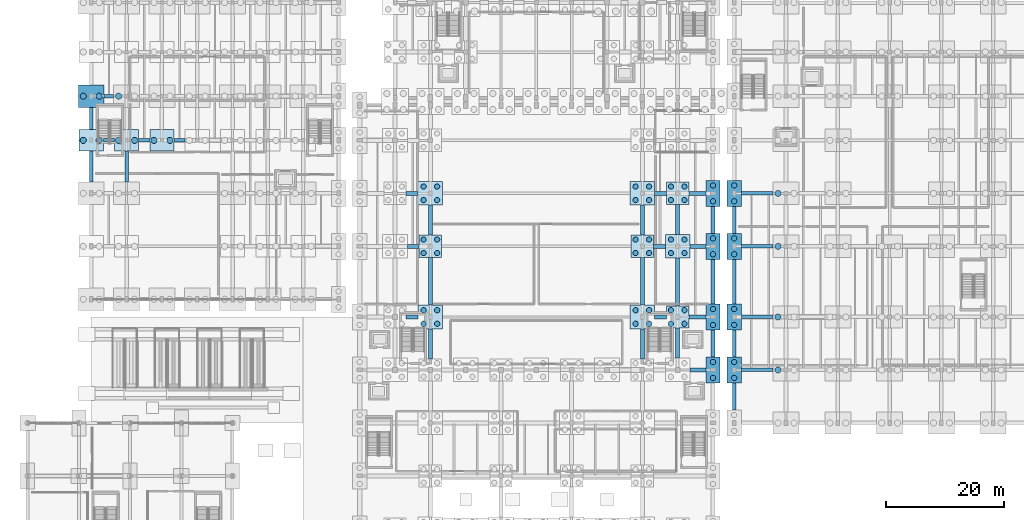
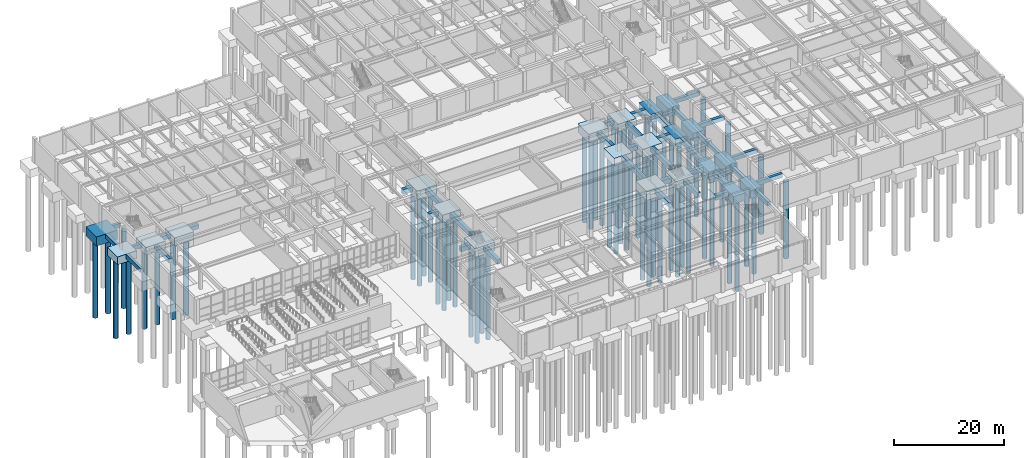
# One storey, part 4 of 69: 65 piles, 58 footings.
"""IFC4 building model written with IfcOpenShell, lengths in metres."""

from ifc_helpers import new_model, si_unit, direction, frame, origin, origin_2d, place, context, subcontext, project, spatial, rectangle, circle, extrude, material, material_profile, profile_set, type_object, element, save


model = new_model("IFC4")

# Units and contexts
model_context = context("Model", 3, precision=1e-05, world=origin(), true_north=direction((0.0, 1.0)))
body_context = subcontext(model_context, "Body", "Model", "MODEL_VIEW")
ifc_project = project(units=[si_unit("LENGTHUNIT", "METRE"), si_unit("AREAUNIT", "SQUARE_METRE"), si_unit("VOLUMEUNIT", "CUBIC_METRE"), si_unit("PLANEANGLEUNIT", "RADIAN"), si_unit("MASSUNIT", "GRAM", prefix="KILO")], contexts=[model_context])

# Site, building, storey
site_placement = place(None, origin())
site = spatial("IfcSite", under=ifc_project, at=site_placement, CompositionType="ELEMENT")
building_placement = place(site_placement, origin())
building = spatial("IfcBuilding", under=site, at=building_placement, Name="Vaelkrest Opera House", CompositionType="ELEMENT")
storey_placement = place(building_placement, frame((0.0, 0.0, -5.39990234375)))
storey = spatial("IfcBuildingStorey", under=building, at=storey_placement, Name="B1", CompositionType="ELEMENT", Elevation=-5.39990234375)

# Footings
ifc_material = material(Name="Concrete C40/50", Category="concrete")
footing_type_1 = type_object("IfcFootingType", Name="FB01", PredefinedType="FOOTING_BEAM", material=ifc_material)
for number, where, z_axis, x_axis, name in (
    (1, (-72.60009765625, 10.199951171875, -0.900146484375), (0.0, 0.0, 1.0), (1.0, 0.0, 0.0), "Footing tie beam FT-GB-0204"),
    (2, (-66.60009765625, 10.199951171875, -0.900146484375), (0.0, 0.0, 1.0), (1.0, 0.0, 0.0), "Footing tie beam FT-GB-0205"),
    (3, (-60.60009765625, 10.199951171875, -0.900146484375), (0.0, 0.0, 1.0), (1.0, 0.0, 0.0), "Footing tie beam FT-GB-0206"),
):
    element("IfcFooting", number, at=place(storey_placement, frame(where, z_axis=z_axis, x_axis=x_axis)), inside=storey, type_object=footing_type_1, Name=name, PredefinedType="FOOTING_BEAM", context=body_context, shape_type="SweptSolid", body=[
        extrude(rectangle(XDim=1.89990234375, YDim=0.60009765625, at=origin_2d()), origin(), (0.0, 0.0, 1.0), 0.89990234375),
    ])
footing_1_placement = place(storey_placement, frame((-72.60009765625, 17.699951171875, -0.900146484375), z_axis=(0.0, 0.0, 1.0), x_axis=(1.0, 0.0, 0.0)))
element("IfcFooting", 4, at=footing_1_placement, inside=storey, type_object=footing_type_1, Name="Footing tie beam FT-GB-0211", PredefinedType="FOOTING_BEAM", context=body_context, shape_type="SweptSolid", body=[
    extrude(rectangle(XDim=1.60009765625, YDim=0.60009765625, at=origin_2d()), origin(), (0.0, 0.0, 1.0), 0.89990234375),
])
footing_2_placement = place(storey_placement, frame((-75.60009765625, 5.75, -0.900146484375), z_axis=(0.0, 0.0, 1.0), x_axis=(0.0, 1.0, 0.0)))
element("IfcFooting", 5, at=footing_2_placement, inside=storey, type_object=footing_type_1, Name="Footing tie beam FT-GB-0241", PredefinedType="FOOTING_BEAM", context=body_context, shape_type="SweptSolid", body=[
    extrude(rectangle(XDim=5.300048828125, YDim=0.60009765625, at=origin_2d()), origin(), (0.0, 0.0, 1.0), 0.89990234375),
])
footing_3_placement = place(storey_placement, frame((-75.60009765625, 13.89990234375, -0.900146484375), z_axis=(0.0, 0.0, 1.0), x_axis=(0.0, 1.0, 0.0)))
element("IfcFooting", 6, at=footing_3_placement, inside=storey, type_object=footing_type_1, Name="Footing tie beam FT-GB-0242", PredefinedType="FOOTING_BEAM", context=body_context, shape_type="SweptSolid", body=[
    extrude(rectangle(XDim=3.800048828125, YDim=0.60009765625, at=origin_2d()), origin(), (0.0, 0.0, 1.0), 0.89990234375),
])
footing_4_placement = place(storey_placement, frame((-69.60009765625, 5.75, -0.900146484375), z_axis=(0.0, 0.0, 1.0), x_axis=(0.0, 1.0, 0.0)))
element("IfcFooting", 7, at=footing_4_placement, inside=storey, type_object=footing_type_1, Name="Footing tie beam FT-GB-0248", PredefinedType="FOOTING_BEAM", context=body_context, shape_type="SweptSolid", body=[
    extrude(rectangle(XDim=5.300048828125, YDim=0.60009765625, at=origin_2d()), origin(), (0.0, 0.0, 1.0), 0.89990234375),
])
for number, where, z_axis, x_axis, name in (
    (8, (37.5, -28.800048828125, -0.900146484375), (0.0, 0.0, 1.0), (1.0, 0.0, 0.0), "Footing tie beam FT-GB-0295"),
    (9, (37.5, -19.800048828125, -0.900146484375), (0.0, 0.0, 1.0), (1.0, 0.0, 0.0), "Footing tie beam FT-GB-0301"),
    (10, (37.5, -7.800048828125, -0.900146484375), (0.0, 0.0, 1.0), (1.0, 0.0, 0.0), "Footing tie beam FT-GB-0307"),
    (11, (37.5, 1.199951171875, -0.900146484375), (0.0, 0.0, 1.0), (1.0, 0.0, 0.0), "Footing tie beam FT-GB-0313"),
):
    element("IfcFooting", number, at=place(storey_placement, frame(where, z_axis=z_axis, x_axis=x_axis)), inside=storey, type_object=footing_type_1, Name=name, PredefinedType="FOOTING_BEAM", context=body_context, shape_type="SweptSolid", body=[
        extrude(rectangle(XDim=5.39990234375, YDim=0.60009765625, at=origin_2d()), origin(), (0.0, 0.0, 1.0), 0.89990234375),
    ])
for number, where, z_axis, x_axis, name in (
    (12, (33.60009765625, -33.300048828125, -0.900146484375), (0.0, 0.0, 1.0), (0.0, 1.0, 0.0), "Footing tie beam FT-GB-0339"),
    (13, (33.60009765625, -24.300048828125, -0.900146484375), (0.0, 0.0, 1.0), (0.0, 1.0, 0.0), "Footing tie beam FT-GB-0340"),
):
    element("IfcFooting", number, at=place(storey_placement, frame(where, z_axis=z_axis, x_axis=x_axis)), inside=storey, type_object=footing_type_1, Name=name, PredefinedType="FOOTING_BEAM", context=body_context, shape_type="SweptSolid", body=[
        extrude(rectangle(XDim=4.60009765625, YDim=0.60009765625, at=origin_2d()), origin(), (0.0, 0.0, 1.0), 0.89990234375),
    ])
footing_5_placement = place(storey_placement, frame((33.60009765625, -13.800048828125, -0.900146484375), z_axis=(0.0, 0.0, 1.0), x_axis=(0.0, 1.0, 0.0)))
element("IfcFooting", 14, at=footing_5_placement, inside=storey, type_object=footing_type_1, Name="Footing tie beam FT-GB-0341", PredefinedType="FOOTING_BEAM", context=body_context, shape_type="SweptSolid", body=[
    extrude(rectangle(XDim=7.60009765625, YDim=0.60009765625, at=origin_2d()), origin(), (0.0, 0.0, 1.0), 0.89990234375),
])
footing_6_placement = place(storey_placement, frame((33.60009765625, -3.300048828125, -0.900146484375), z_axis=(0.0, 0.0, 1.0), x_axis=(0.0, 1.0, 0.0)))
element("IfcFooting", 15, at=footing_6_placement, inside=storey, type_object=footing_type_1, Name="Footing tie beam FT-GB-0342", PredefinedType="FOOTING_BEAM", context=body_context, shape_type="SweptSolid", body=[
    extrude(rectangle(XDim=4.60009765625, YDim=0.60009765625, at=origin_2d()), origin(), (0.0, 0.0, 1.0), 0.89990234375),
])
footing_type_2 = type_object("IfcFootingType", Name="FB02", PredefinedType="FOOTING_BEAM", material=ifc_material)
footing_7_placement = place(storey_placement, frame((27.449951171875, -28.800048828125, -1.05029296875), z_axis=(0.0, 0.0, 1.0), x_axis=(1.0, 0.0, 0.0)))
element("IfcFooting", 16, at=footing_7_placement, inside=storey, type_object=footing_type_2, Name="Footing tie beam FT-GB-0030", PredefinedType="FOOTING_BEAM", context=body_context, shape_type="SweptSolid", body=[
    extrude(rectangle(XDim=2.699951171875, YDim=0.699951171875, at=origin_2d()), origin(), (0.0, 0.0, 1.0), 1.050048828125),
])
for number, where, z_axis, x_axis, name in (
    (17, (-21.10009765625, -19.800048828125, -1.05029296875), (0.0, 0.0, 1.0), (1.0, 0.0, 0.0), "Footing tie beam FT-GB-0032"),
    (18, (21.10009765625, -19.800048828125, -1.05029296875), (0.0, 0.0, 1.0), (1.0, 0.0, 0.0), "Footing tie beam FT-GB-0033"),
):
    element("IfcFooting", number, at=place(storey_placement, frame(where, z_axis=z_axis, x_axis=x_axis)), inside=storey, type_object=footing_type_2, Name=name, PredefinedType="FOOTING_BEAM", context=body_context, shape_type="SweptSolid", body=[
        extrude(rectangle(XDim=2.0, YDim=0.699951171875, at=origin_2d()), origin(), (0.0, 0.0, 1.0), 1.050048828125),
    ])
footing_8_placement = place(storey_placement, frame((27.35009765625, -19.800048828125, -1.05029296875), z_axis=(0.0, 0.0, 1.0), x_axis=(1.0, 0.0, 0.0)))
element("IfcFooting", 19, at=footing_8_placement, inside=storey, type_object=footing_type_2, Name="Footing tie beam FT-GB-0034", PredefinedType="FOOTING_BEAM", context=body_context, shape_type="SweptSolid", body=[
    extrude(rectangle(XDim=2.89990234375, YDim=0.699951171875, at=origin_2d()), origin(), (0.0, 0.0, 1.0), 1.050048828125),
])
for number, where, z_axis, x_axis, name in (
    (20, (-20.89990234375, -7.800048828125, -1.05029296875), (0.0, 0.0, 1.0), (1.0, 0.0, 0.0), "Footing tie beam FT-GB-0036"),
    (21, (20.89990234375, -7.800048828125, -1.05029296875), (0.0, 0.0, 1.0), (1.0, 0.0, 0.0), "Footing tie beam FT-GB-0037"),
):
    element("IfcFooting", number, at=place(storey_placement, frame(where, z_axis=z_axis, x_axis=x_axis)), inside=storey, type_object=footing_type_2, Name=name, PredefinedType="FOOTING_BEAM", context=body_context, shape_type="SweptSolid", body=[
        extrude(rectangle(XDim=2.0, YDim=0.699951171875, at=origin_2d()), origin(), (0.0, 0.0, 1.0), 1.050048828125),
    ])
footing_9_placement = place(storey_placement, frame((27.449951171875, -7.800048828125, -1.05029296875), z_axis=(0.0, 0.0, 1.0), x_axis=(1.0, 0.0, 0.0)))
element("IfcFooting", 22, at=footing_9_placement, inside=storey, type_object=footing_type_2, Name="Footing tie beam FT-GB-0038", PredefinedType="FOOTING_BEAM", context=body_context, shape_type="SweptSolid", body=[
    extrude(rectangle(XDim=2.699951171875, YDim=0.699951171875, at=origin_2d()), origin(), (0.0, 0.0, 1.0), 1.050048828125),
])
for number, where, z_axis, x_axis, name in (
    (23, (-21.10009765625, 1.199951171875, -1.05029296875), (0.0, 0.0, 1.0), (1.0, 0.0, 0.0), "Footing tie beam FT-GB-0040"),
    (24, (21.10009765625, 1.199951171875, -1.05029296875), (0.0, 0.0, 1.0), (1.0, 0.0, 0.0), "Footing tie beam FT-GB-0041"),
):
    element("IfcFooting", number, at=place(storey_placement, frame(where, z_axis=z_axis, x_axis=x_axis)), inside=storey, type_object=footing_type_2, Name=name, PredefinedType="FOOTING_BEAM", context=body_context, shape_type="SweptSolid", body=[
        extrude(rectangle(XDim=2.0, YDim=0.699951171875, at=origin_2d()), origin(), (0.0, 0.0, 1.0), 1.050048828125),
    ])
footing_10_placement = place(storey_placement, frame((27.35009765625, 1.199951171875, -1.05029296875), z_axis=(0.0, 0.0, 1.0), x_axis=(1.0, 0.0, 0.0)))
element("IfcFooting", 25, at=footing_10_placement, inside=storey, type_object=footing_type_2, Name="Footing tie beam FT-GB-0042", PredefinedType="FOOTING_BEAM", context=body_context, shape_type="SweptSolid", body=[
    extrude(rectangle(XDim=2.89990234375, YDim=0.699951171875, at=origin_2d()), origin(), (0.0, 0.0, 1.0), 1.050048828125),
])
footing_11_placement = place(storey_placement, frame((-18.0, -24.35009765625, -1.05029296875), z_axis=(0.0, 0.0, 1.0), x_axis=(0.0, 1.0, 0.0)))
element("IfcFooting", 26, at=footing_11_placement, inside=storey, type_object=footing_type_2, Name="Footing tie beam FT-GB-0072", PredefinedType="FOOTING_BEAM", context=body_context, shape_type="SweptSolid", body=[
    extrude(rectangle(XDim=5.10009765625, YDim=0.699951171875, at=origin_2d()), origin(), (0.0, 0.0, 1.0), 1.050048828125),
])
footing_12_placement = place(storey_placement, frame((-18.0, -13.75, -1.05029296875), z_axis=(0.0, 0.0, 1.0), x_axis=(0.0, 1.0, 0.0)))
element("IfcFooting", 27, at=footing_12_placement, inside=storey, type_object=footing_type_2, Name="Footing tie beam FT-GB-0073", PredefinedType="FOOTING_BEAM", context=body_context, shape_type="SweptSolid", body=[
    extrude(rectangle(XDim=8.10009765625, YDim=0.699951171875, at=origin_2d()), origin(), (0.0, 0.0, 1.0), 1.050048828125),
])
for number, where, z_axis, x_axis, name in (
    (28, (-18.0, -3.35009765625, -1.05029296875), (0.0, 0.0, 1.0), (0.0, 1.0, 0.0), "Footing tie beam FT-GB-0074"),
    (29, (18.0, -24.35009765625, -1.05029296875), (0.0, 0.0, 1.0), (0.0, 1.0, 0.0), "Footing tie beam FT-GB-0086"),
):
    element("IfcFooting", number, at=place(storey_placement, frame(where, z_axis=z_axis, x_axis=x_axis)), inside=storey, type_object=footing_type_2, Name=name, PredefinedType="FOOTING_BEAM", context=body_context, shape_type="SweptSolid", body=[
        extrude(rectangle(XDim=5.10009765625, YDim=0.699951171875, at=origin_2d()), origin(), (0.0, 0.0, 1.0), 1.050048828125),
    ])
footing_13_placement = place(storey_placement, frame((18.0, -13.75, -1.05029296875), z_axis=(0.0, 0.0, 1.0), x_axis=(0.0, 1.0, 0.0)))
element("IfcFooting", 30, at=footing_13_placement, inside=storey, type_object=footing_type_2, Name="Footing tie beam FT-GB-0087", PredefinedType="FOOTING_BEAM", context=body_context, shape_type="SweptSolid", body=[
    extrude(rectangle(XDim=8.10009765625, YDim=0.699951171875, at=origin_2d()), origin(), (0.0, 0.0, 1.0), 1.050048828125),
])
for number, where, z_axis, x_axis, name in (
    (31, (18.0, -3.35009765625, -1.05029296875), (0.0, 0.0, 1.0), (0.0, 1.0, 0.0), "Footing tie beam FT-GB-0088"),
    (32, (24.0, -24.25, -1.05029296875), (0.0, 0.0, 1.0), (0.0, 1.0, 0.0), "Footing tie beam FT-GB-0091"),
):
    element("IfcFooting", number, at=place(storey_placement, frame(where, z_axis=z_axis, x_axis=x_axis)), inside=storey, type_object=footing_type_2, Name=name, PredefinedType="FOOTING_BEAM", context=body_context, shape_type="SweptSolid", body=[
        extrude(rectangle(XDim=5.10009765625, YDim=0.699951171875, at=origin_2d()), origin(), (0.0, 0.0, 1.0), 1.050048828125),
    ])
footing_14_placement = place(storey_placement, frame((24.0, -13.85009765625, -1.05029296875), z_axis=(0.0, 0.0, 1.0), x_axis=(0.0, 1.0, 0.0)))
element("IfcFooting", 33, at=footing_14_placement, inside=storey, type_object=footing_type_2, Name="Footing tie beam FT-GB-0092", PredefinedType="FOOTING_BEAM", context=body_context, shape_type="SweptSolid", body=[
    extrude(rectangle(XDim=8.10009765625, YDim=0.699951171875, at=origin_2d()), origin(), (0.0, 0.0, 1.0), 1.050048828125),
])
footing_15_placement = place(storey_placement, frame((24.0, -3.25, -1.05029296875), z_axis=(0.0, 0.0, 1.0), x_axis=(0.0, 1.0, 0.0)))
element("IfcFooting", 34, at=footing_15_placement, inside=storey, type_object=footing_type_2, Name="Footing tie beam FT-GB-0093", PredefinedType="FOOTING_BEAM", context=body_context, shape_type="SweptSolid", body=[
    extrude(rectangle(XDim=5.10009765625, YDim=0.699951171875, at=origin_2d()), origin(), (0.0, 0.0, 1.0), 1.050048828125),
])
footing_16_placement = place(storey_placement, frame((30.0, -24.300048828125, -1.05029296875), z_axis=(0.0, 0.0, 1.0), x_axis=(0.0, 1.0, 0.0)))
element("IfcFooting", 35, at=footing_16_placement, inside=storey, type_object=footing_type_2, Name="Footing tie beam FT-GB-0099", PredefinedType="FOOTING_BEAM", context=body_context, shape_type="SweptSolid", body=[
    extrude(rectangle(XDim=4.60009765625, YDim=0.699951171875, at=origin_2d()), origin(), (0.0, 0.0, 1.0), 1.050048828125),
])
footing_17_placement = place(storey_placement, frame((30.0, -13.800048828125, -1.05029296875), z_axis=(0.0, 0.0, 1.0), x_axis=(0.0, 1.0, 0.0)))
element("IfcFooting", 36, at=footing_17_placement, inside=storey, type_object=footing_type_2, Name="Footing tie beam FT-GB-0100", PredefinedType="FOOTING_BEAM", context=body_context, shape_type="SweptSolid", body=[
    extrude(rectangle(XDim=7.60009765625, YDim=0.699951171875, at=origin_2d()), origin(), (0.0, 0.0, 1.0), 1.050048828125),
])
footing_18_placement = place(storey_placement, frame((30.0, -3.300048828125, -1.05029296875), z_axis=(0.0, 0.0, 1.0), x_axis=(0.0, 1.0, 0.0)))
element("IfcFooting", 37, at=footing_18_placement, inside=storey, type_object=footing_type_2, Name="Footing tie beam FT-GB-0101", PredefinedType="FOOTING_BEAM", context=body_context, shape_type="SweptSolid", body=[
    extrude(rectangle(XDim=4.60009765625, YDim=0.699951171875, at=origin_2d()), origin(), (0.0, 0.0, 1.0), 1.050048828125),
])
footing_type_3 = type_object("IfcFootingType", Name="PC02", PredefinedType="PILE_CAP", material=ifc_material)
for number, where, z_axis, x_axis, name in (
    (38, (-18.0, -7.800048828125, -1.650146484375), (0.0, 0.0, 1.0), (1.0, 0.0, 0.0), "Pile cap FT-CAP-022"),
    (39, (18.0, -7.800048828125, -1.650146484375), (0.0, 0.0, 1.0), (1.0, 0.0, 0.0), "Pile cap FT-CAP-050"),
    (40, (24.0, -19.800048828125, -1.650146484375), (0.0, 0.0, 1.0), (1.0, 0.0, 0.0), "Pile cap FT-CAP-056"),
    (41, (24.0, 1.199951171875, -1.650146484375), (0.0, 0.0, 1.0), (1.0, 0.0, 0.0), "Pile cap FT-CAP-058"),
):
    element("IfcFooting", number, at=place(storey_placement, frame(where, z_axis=z_axis, x_axis=x_axis)), inside=storey, type_object=footing_type_3, Name=name, PredefinedType="PILE_CAP", context=body_context, shape_type="SweptSolid", body=[
        extrude(rectangle(XDim=3.800048828125, YDim=3.800048828125, at=origin_2d()), origin(), (0.0, 0.0, 1.0), 1.64990234375),
    ])
footing_type_4 = type_object("IfcFootingType", Name="PC03", PredefinedType="PILE_CAP", material=ifc_material)
for number, where, z_axis, x_axis, name in (
    (42, (-75.60009765625, 10.199951171875, -1.75), (0.0, 0.0, 1.0), (1.0, 0.0, 0.0), "Pile cap FT-CAP-120"),
    (43, (-69.60009765625, 10.199951171875, -1.75), (0.0, 0.0, 1.0), (1.0, 0.0, 0.0), "Pile cap FT-CAP-128"),
    (44, (-63.60009765625, 10.199951171875, -1.75), (0.0, 0.0, 1.0), (1.0, 0.0, 0.0), "Pile cap FT-CAP-134"),
):
    element("IfcFooting", number, at=place(storey_placement, frame(where, z_axis=z_axis, x_axis=x_axis)), inside=storey, type_object=footing_type_4, Name=name, PredefinedType="PILE_CAP", context=body_context, shape_type="SweptSolid", body=[
        extrude(rectangle(XDim=4.10009765625, YDim=3.60009765625, at=origin_2d()), origin(), (0.0, 0.0, 1.0), 1.75),
    ])
footing_type_5 = type_object("IfcFootingType", Name="PC04", PredefinedType="PILE_CAP", material=ifc_material)
for number, where, z_axis, x_axis, name in (
    (45, (-18.0, -19.800048828125, -1.900146484375), (0.0, 0.0, 1.0), (1.0, 0.0, 0.0), "Pile cap FT-CAP-021"),
    (46, (-18.0, 1.199951171875, -1.900146484375), (0.0, 0.0, 1.0), (1.0, 0.0, 0.0), "Pile cap FT-CAP-023"),
    (47, (18.0, -19.800048828125, -1.900146484375), (0.0, 0.0, 1.0), (1.0, 0.0, 0.0), "Pile cap FT-CAP-049"),
    (48, (18.0, 1.199951171875, -1.900146484375), (0.0, 0.0, 1.0), (1.0, 0.0, 0.0), "Pile cap FT-CAP-051"),
    (49, (24.0, -7.800048828125, -1.900146484375), (0.0, 0.0, 1.0), (1.0, 0.0, 0.0), "Pile cap FT-CAP-057"),
):
    element("IfcFooting", number, at=place(storey_placement, frame(where, z_axis=z_axis, x_axis=x_axis)), inside=storey, type_object=footing_type_5, Name=name, PredefinedType="PILE_CAP", context=body_context, shape_type="SweptSolid", body=[
        extrude(rectangle(XDim=4.199951171875, YDim=4.0, at=origin_2d()), origin(), (0.0, 0.0, 1.0), 1.89990234375),
    ])
footing_type_6 = type_object("IfcFootingType", Name="PC05", PredefinedType="PILE_CAP", material=ifc_material)
footing_19_placement = place(storey_placement, frame((-75.60009765625, 17.699951171875, -2.05029296875), z_axis=(0.0, 0.0, 1.0), x_axis=(1.0, 0.0, 0.0)))
element("IfcFooting", 50, at=footing_19_placement, inside=storey, type_object=footing_type_6, Name="Pile cap FT-CAP-121", PredefinedType="PILE_CAP", context=body_context, shape_type="SweptSolid", body=[
    extrude(rectangle(XDim=4.39990234375, YDim=3.800048828125, at=origin_2d()), origin(), (0.0, 0.0, 1.0), 2.050048828125),
])
footing_type_7 = type_object("IfcFootingType", Name="PC08", PredefinedType="PILE_CAP", material=ifc_material)
for number, where, z_axis, x_axis, name in (
    (51, (30.0, -28.800048828125, -1.75), (0.0, 0.0, 1.0), (1.0, 0.0, 0.0), "Pile cap FT-CAP-064"),
    (52, (30.0, -19.800048828125, -1.75), (0.0, 0.0, 1.0), (1.0, 0.0, 0.0), "Pile cap FT-CAP-065"),
    (53, (30.0, -7.800048828125, -1.75), (0.0, 0.0, 1.0), (1.0, 0.0, 0.0), "Pile cap FT-CAP-066"),
    (54, (30.0, 1.199951171875, -1.75), (0.0, 0.0, 1.0), (1.0, 0.0, 0.0), "Pile cap FT-CAP-067"),
    (55, (33.60009765625, -28.800048828125, -1.75), (0.0, 0.0, 1.0), (1.0, 0.0, 0.0), "Pile cap FT-CAP-178"),
    (56, (33.60009765625, -19.800048828125, -1.75), (0.0, 0.0, 1.0), (1.0, 0.0, 0.0), "Pile cap FT-CAP-179"),
    (57, (33.60009765625, -7.800048828125, -1.75), (0.0, 0.0, 1.0), (1.0, 0.0, 0.0), "Pile cap FT-CAP-180"),
    (58, (33.60009765625, 1.199951171875, -1.75), (0.0, 0.0, 1.0), (1.0, 0.0, 0.0), "Pile cap FT-CAP-181"),
):
    element("IfcFooting", number, at=place(storey_placement, frame(where, z_axis=z_axis, x_axis=x_axis)), inside=storey, type_object=footing_type_7, Name=name, PredefinedType="PILE_CAP", context=body_context, shape_type="SweptSolid", body=[
        extrude(rectangle(XDim=2.39990234375, YDim=4.39990234375, at=origin_2d()), origin(), (0.0, 0.0, 1.0), 1.75),
    ])

# Piles
ifc_material_profile_1 = material_profile(ifc_material, circle(Radius=0.449951171875, at=origin_2d()), Name="PILE900")
ifc_profile_set_1 = profile_set([ifc_material_profile_1], Name="Concrete C40/50")
pile_type_1 = type_object("IfcPileType", Name="PL01", PredefinedType="BORED", material=ifc_profile_set_1)
for number, where, z_axis, x_axis, name in (
    (59, (-19.14990234375, -20.949951171875, -1.800048828125), (0.0, 0.0, -1.0), (1.0, 0.0, 0.0), "Bored pile PL-0063"),
    (60, (-16.85009765625, -20.949951171875, -1.800048828125), (0.0, 0.0, -1.0), (1.0, 0.0, 0.0), "Bored pile PL-0064"),
    (61, (-19.14990234375, -18.64990234375, -1.800048828125), (0.0, 0.0, -1.0), (1.0, 0.0, 0.0), "Bored pile PL-0065"),
    (62, (-16.85009765625, -18.64990234375, -1.800048828125), (0.0, 0.0, -1.0), (1.0, 0.0, 0.0), "Bored pile PL-0066"),
):
    element("IfcPile", number, at=place(storey_placement, frame(where, z_axis=z_axis, x_axis=x_axis)), inside=storey, type_object=pile_type_1, Name=name, PredefinedType="BORED", context=body_context, shape_type="SweptSolid", body=[
        extrude(circle(Radius=0.449951171875, at=origin_2d()), origin(), (0.0, 0.0, 1.0), 19.800048828125),
    ])
for number, where, z_axis, x_axis, name in (
    (63, (-19.14990234375, -8.949951171875, -1.550048828125), (0.0, 0.0, -1.0), (1.0, 0.0, 0.0), "Bored pile PL-0067"),
    (64, (-16.85009765625, -8.949951171875, -1.550048828125), (0.0, 0.0, -1.0), (1.0, 0.0, 0.0), "Bored pile PL-0068"),
    (65, (-19.14990234375, -6.64990234375, -1.550048828125), (0.0, 0.0, -1.0), (1.0, 0.0, 0.0), "Bored pile PL-0069"),
    (66, (-16.85009765625, -6.64990234375, -1.550048828125), (0.0, 0.0, -1.0), (1.0, 0.0, 0.0), "Bored pile PL-0070"),
):
    element("IfcPile", number, at=place(storey_placement, frame(where, z_axis=z_axis, x_axis=x_axis)), inside=storey, type_object=pile_type_1, Name=name, PredefinedType="BORED", context=body_context, shape_type="SweptSolid", body=[
        extrude(circle(Radius=0.449951171875, at=origin_2d()), origin(), (0.0, 0.0, 1.0), 20.050048828125),
    ])
for number, where, z_axis, x_axis, name in (
    (67, (-19.14990234375, 0.050048828125, -1.800048828125), (0.0, 0.0, -1.0), (1.0, 0.0, 0.0), "Bored pile PL-0071"),
    (68, (-16.85009765625, 0.050048828125, -1.800048828125), (0.0, 0.0, -1.0), (1.0, 0.0, 0.0), "Bored pile PL-0072"),
    (69, (-19.14990234375, 2.35009765625, -1.800048828125), (0.0, 0.0, -1.0), (1.0, 0.0, 0.0), "Bored pile PL-0073"),
    (70, (-16.85009765625, 2.35009765625, -1.800048828125), (0.0, 0.0, -1.0), (1.0, 0.0, 0.0), "Bored pile PL-0074"),
    (71, (16.85009765625, -20.949951171875, -1.800048828125), (0.0, 0.0, -1.0), (1.0, 0.0, 0.0), "Bored pile PL-0175"),
    (72, (19.14990234375, -20.949951171875, -1.800048828125), (0.0, 0.0, -1.0), (1.0, 0.0, 0.0), "Bored pile PL-0176"),
    (73, (16.85009765625, -18.64990234375, -1.800048828125), (0.0, 0.0, -1.0), (1.0, 0.0, 0.0), "Bored pile PL-0177"),
    (74, (19.14990234375, -18.64990234375, -1.800048828125), (0.0, 0.0, -1.0), (1.0, 0.0, 0.0), "Bored pile PL-0178"),
):
    element("IfcPile", number, at=place(storey_placement, frame(where, z_axis=z_axis, x_axis=x_axis)), inside=storey, type_object=pile_type_1, Name=name, PredefinedType="BORED", context=body_context, shape_type="SweptSolid", body=[
        extrude(circle(Radius=0.449951171875, at=origin_2d()), origin(), (0.0, 0.0, 1.0), 19.800048828125),
    ])
for number, where, z_axis, x_axis, name in (
    (75, (16.85009765625, -8.949951171875, -1.550048828125), (0.0, 0.0, -1.0), (1.0, 0.0, 0.0), "Bored pile PL-0179"),
    (76, (19.14990234375, -8.949951171875, -1.550048828125), (0.0, 0.0, -1.0), (1.0, 0.0, 0.0), "Bored pile PL-0180"),
    (77, (16.85009765625, -6.64990234375, -1.550048828125), (0.0, 0.0, -1.0), (1.0, 0.0, 0.0), "Bored pile PL-0181"),
    (78, (19.14990234375, -6.64990234375, -1.550048828125), (0.0, 0.0, -1.0), (1.0, 0.0, 0.0), "Bored pile PL-0182"),
):
    element("IfcPile", number, at=place(storey_placement, frame(where, z_axis=z_axis, x_axis=x_axis)), inside=storey, type_object=pile_type_1, Name=name, PredefinedType="BORED", context=body_context, shape_type="SweptSolid", body=[
        extrude(circle(Radius=0.449951171875, at=origin_2d()), origin(), (0.0, 0.0, 1.0), 20.050048828125),
    ])
for number, where, z_axis, x_axis, name in (
    (79, (16.85009765625, 0.050048828125, -1.800048828125), (0.0, 0.0, -1.0), (1.0, 0.0, 0.0), "Bored pile PL-0183"),
    (80, (19.14990234375, 0.050048828125, -1.800048828125), (0.0, 0.0, -1.0), (1.0, 0.0, 0.0), "Bored pile PL-0184"),
    (81, (16.85009765625, 2.35009765625, -1.800048828125), (0.0, 0.0, -1.0), (1.0, 0.0, 0.0), "Bored pile PL-0185"),
    (82, (19.14990234375, 2.35009765625, -1.800048828125), (0.0, 0.0, -1.0), (1.0, 0.0, 0.0), "Bored pile PL-0186"),
):
    element("IfcPile", number, at=place(storey_placement, frame(where, z_axis=z_axis, x_axis=x_axis)), inside=storey, type_object=pile_type_1, Name=name, PredefinedType="BORED", context=body_context, shape_type="SweptSolid", body=[
        extrude(circle(Radius=0.449951171875, at=origin_2d()), origin(), (0.0, 0.0, 1.0), 19.800048828125),
    ])
for number, where, z_axis, x_axis, name in (
    (83, (22.85009765625, -20.949951171875, -1.550048828125), (0.0, 0.0, -1.0), (1.0, 0.0, 0.0), "Bored pile PL-0203"),
    (84, (25.14990234375, -20.949951171875, -1.550048828125), (0.0, 0.0, -1.0), (1.0, 0.0, 0.0), "Bored pile PL-0204"),
    (85, (22.85009765625, -18.64990234375, -1.550048828125), (0.0, 0.0, -1.0), (1.0, 0.0, 0.0), "Bored pile PL-0205"),
    (86, (25.14990234375, -18.64990234375, -1.550048828125), (0.0, 0.0, -1.0), (1.0, 0.0, 0.0), "Bored pile PL-0206"),
):
    element("IfcPile", number, at=place(storey_placement, frame(where, z_axis=z_axis, x_axis=x_axis)), inside=storey, type_object=pile_type_1, Name=name, PredefinedType="BORED", context=body_context, shape_type="SweptSolid", body=[
        extrude(circle(Radius=0.449951171875, at=origin_2d()), origin(), (0.0, 0.0, 1.0), 20.050048828125),
    ])
for number, where, z_axis, x_axis, name in (
    (87, (22.85009765625, -8.949951171875, -1.800048828125), (0.0, 0.0, -1.0), (1.0, 0.0, 0.0), "Bored pile PL-0207"),
    (88, (25.14990234375, -8.949951171875, -1.800048828125), (0.0, 0.0, -1.0), (1.0, 0.0, 0.0), "Bored pile PL-0208"),
    (89, (22.85009765625, -6.64990234375, -1.800048828125), (0.0, 0.0, -1.0), (1.0, 0.0, 0.0), "Bored pile PL-0209"),
    (90, (25.14990234375, -6.64990234375, -1.800048828125), (0.0, 0.0, -1.0), (1.0, 0.0, 0.0), "Bored pile PL-0210"),
):
    element("IfcPile", number, at=place(storey_placement, frame(where, z_axis=z_axis, x_axis=x_axis)), inside=storey, type_object=pile_type_1, Name=name, PredefinedType="BORED", context=body_context, shape_type="SweptSolid", body=[
        extrude(circle(Radius=0.449951171875, at=origin_2d()), origin(), (0.0, 0.0, 1.0), 19.800048828125),
    ])
for number, where, z_axis, x_axis, name in (
    (91, (22.85009765625, 0.050048828125, -1.550048828125), (0.0, 0.0, -1.0), (1.0, 0.0, 0.0), "Bored pile PL-0211"),
    (92, (25.14990234375, 0.050048828125, -1.550048828125), (0.0, 0.0, -1.0), (1.0, 0.0, 0.0), "Bored pile PL-0212"),
    (93, (22.85009765625, 2.35009765625, -1.550048828125), (0.0, 0.0, -1.0), (1.0, 0.0, 0.0), "Bored pile PL-0213"),
    (94, (25.14990234375, 2.35009765625, -1.550048828125), (0.0, 0.0, -1.0), (1.0, 0.0, 0.0), "Bored pile PL-0214"),
):
    element("IfcPile", number, at=place(storey_placement, frame(where, z_axis=z_axis, x_axis=x_axis)), inside=storey, type_object=pile_type_1, Name=name, PredefinedType="BORED", context=body_context, shape_type="SweptSolid", body=[
        extrude(circle(Radius=0.449951171875, at=origin_2d()), origin(), (0.0, 0.0, 1.0), 20.050048828125),
    ])
for number, where, z_axis, x_axis, name in (
    (95, (30.0, -30.14990234375, -1.650146484375), (0.0, 0.0, -1.0), (1.0, 0.0, 0.0), "Bored pile PL-0229"),
    (96, (30.0, -27.449951171875, -1.650146484375), (0.0, 0.0, -1.0), (1.0, 0.0, 0.0), "Bored pile PL-0230"),
    (97, (30.0, -21.14990234375, -1.650146484375), (0.0, 0.0, -1.0), (1.0, 0.0, 0.0), "Bored pile PL-0231"),
    (98, (30.0, -18.449951171875, -1.650146484375), (0.0, 0.0, -1.0), (1.0, 0.0, 0.0), "Bored pile PL-0232"),
    (99, (30.0, -9.14990234375, -1.650146484375), (0.0, 0.0, -1.0), (1.0, 0.0, 0.0), "Bored pile PL-0233"),
    (100, (30.0, -6.449951171875, -1.650146484375), (0.0, 0.0, -1.0), (1.0, 0.0, 0.0), "Bored pile PL-0234"),
    (101, (30.0, -0.14990234375, -1.650146484375), (0.0, 0.0, -1.0), (1.0, 0.0, 0.0), "Bored pile PL-0235"),
    (102, (30.0, 2.550048828125, -1.650146484375), (0.0, 0.0, -1.0), (1.0, 0.0, 0.0), "Bored pile PL-0236"),
):
    element("IfcPile", number, at=place(storey_placement, frame(where, z_axis=z_axis, x_axis=x_axis)), inside=storey, type_object=pile_type_1, Name=name, PredefinedType="BORED", context=body_context, shape_type="SweptSolid", body=[
        extrude(circle(Radius=0.449951171875, at=origin_2d()), origin(), (0.0, 0.0, 1.0), 19.949951171875),
    ])
for number, where, z_axis, x_axis, name in (
    (103, (33.60009765625, -30.14990234375, -1.650146484375), (0.0, 0.0, -1.0), (1.0, 0.0, 0.0), "Bored pile PL-0543"),
    (104, (33.60009765625, -27.449951171875, -1.650146484375), (0.0, 0.0, -1.0), (1.0, 0.0, 0.0), "Bored pile PL-0544"),
    (105, (33.60009765625, -21.14990234375, -1.650146484375), (0.0, 0.0, -1.0), (1.0, 0.0, 0.0), "Bored pile PL-0545"),
    (106, (33.60009765625, -18.449951171875, -1.650146484375), (0.0, 0.0, -1.0), (1.0, 0.0, 0.0), "Bored pile PL-0546"),
    (107, (33.60009765625, -9.14990234375, -1.650146484375), (0.0, 0.0, -1.0), (1.0, 0.0, 0.0), "Bored pile PL-0547"),
    (108, (33.60009765625, -6.449951171875, -1.650146484375), (0.0, 0.0, -1.0), (1.0, 0.0, 0.0), "Bored pile PL-0548"),
    (109, (33.60009765625, -0.14990234375, -1.650146484375), (0.0, 0.0, -1.0), (1.0, 0.0, 0.0), "Bored pile PL-0549"),
    (110, (33.60009765625, 2.550048828125, -1.650146484375), (0.0, 0.0, -1.0), (1.0, 0.0, 0.0), "Bored pile PL-0550"),
):
    element("IfcPile", number, at=place(storey_placement, frame(where, z_axis=z_axis, x_axis=x_axis)), inside=storey, type_object=pile_type_1, Name=name, PredefinedType="BORED", context=body_context, shape_type="SweptSolid", body=[
        extrude(circle(Radius=0.449951171875, at=origin_2d()), origin(), (0.0, 0.0, 1.0), 17.449951171875),
    ])
ifc_material_profile_2 = material_profile(ifc_material, circle(Radius=0.52490234375, at=origin_2d()), Name="PILE1050")
ifc_profile_set_2 = profile_set([ifc_material_profile_2], Name="Concrete C40/50")
pile_type_2 = type_object("IfcPileType", Name="PL02", PredefinedType="BORED", material=ifc_profile_set_2)
for number, where, z_axis, x_axis, name in (
    (111, (-76.949951171875, 10.199951171875, -1.650146484375), (0.0, 0.0, -1.0), (1.0, 0.0, 0.0), "Bored pile PL-0427"),
    (112, (-74.25, 10.199951171875, -1.650146484375), (0.0, 0.0, -1.0), (1.0, 0.0, 0.0), "Bored pile PL-0428"),
):
    element("IfcPile", number, at=place(storey_placement, frame(where, z_axis=z_axis, x_axis=x_axis)), inside=storey, type_object=pile_type_2, Name=name, PredefinedType="BORED", context=body_context, shape_type="SweptSolid", body=[
        extrude(circle(Radius=0.52490234375, at=origin_2d()), origin(), (0.0, 0.0, 1.0), 17.449951171875),
    ])
for number, where, z_axis, x_axis, name in (
    (113, (-76.949951171875, 17.699951171875, -1.9501953125), (0.0, 0.0, -1.0), (1.0, 0.0, 0.0), "Bored pile PL-0429"),
    (114, (-74.25, 17.699951171875, -1.9501953125), (0.0, 0.0, -1.0), (1.0, 0.0, 0.0), "Bored pile PL-0430"),
):
    element("IfcPile", number, at=place(storey_placement, frame(where, z_axis=z_axis, x_axis=x_axis)), inside=storey, type_object=pile_type_2, Name=name, PredefinedType="BORED", context=body_context, shape_type="SweptSolid", body=[
        extrude(circle(Radius=0.52490234375, at=origin_2d()), origin(), (0.0, 0.0, 1.0), 17.14990234375),
    ])
for number, where, z_axis, x_axis, name in (
    (115, (-70.949951171875, 10.199951171875, -1.650146484375), (0.0, 0.0, -1.0), (1.0, 0.0, 0.0), "Bored pile PL-0443"),
    (116, (-68.25, 10.199951171875, -1.650146484375), (0.0, 0.0, -1.0), (1.0, 0.0, 0.0), "Bored pile PL-0444"),
):
    element("IfcPile", number, at=place(storey_placement, frame(where, z_axis=z_axis, x_axis=x_axis)), inside=storey, type_object=pile_type_2, Name=name, PredefinedType="BORED", context=body_context, shape_type="SweptSolid", body=[
        extrude(circle(Radius=0.52490234375, at=origin_2d()), origin(), (0.0, 0.0, 1.0), 17.449951171875),
    ])
pile_placement = place(storey_placement, frame((-70.949951171875, 17.699951171875, -1.9501953125), z_axis=(0.0, 0.0, -1.0), x_axis=(1.0, 0.0, 0.0)))
element("IfcPile", 117, at=pile_placement, inside=storey, type_object=pile_type_2, Name="Bored pile PL-0445", PredefinedType="BORED", context=body_context, shape_type="SweptSolid", body=[
    extrude(circle(Radius=0.52490234375, at=origin_2d()), origin(), (0.0, 0.0, 1.0), 17.14990234375),
])
for number, where, z_axis, x_axis, name in (
    (118, (-64.949951171875, 10.199951171875, -1.650146484375), (0.0, 0.0, -1.0), (1.0, 0.0, 0.0), "Bored pile PL-0455"),
    (119, (-62.25, 10.199951171875, -1.650146484375), (0.0, 0.0, -1.0), (1.0, 0.0, 0.0), "Bored pile PL-0456"),
):
    element("IfcPile", number, at=place(storey_placement, frame(where, z_axis=z_axis, x_axis=x_axis)), inside=storey, type_object=pile_type_2, Name=name, PredefinedType="BORED", context=body_context, shape_type="SweptSolid", body=[
        extrude(circle(Radius=0.52490234375, at=origin_2d()), origin(), (0.0, 0.0, 1.0), 17.449951171875),
    ])
for number, where, z_axis, x_axis, name in (
    (120, (41.050048828125, -28.800048828125, -1.9501953125), (0.0, 0.0, -1.0), (1.0, 0.0, 0.0), "Bored pile PL-0561"),
    (121, (41.050048828125, -19.800048828125, -1.9501953125), (0.0, 0.0, -1.0), (1.0, 0.0, 0.0), "Bored pile PL-0563"),
    (122, (41.050048828125, -7.800048828125, -1.9501953125), (0.0, 0.0, -1.0), (1.0, 0.0, 0.0), "Bored pile PL-0565"),
    (123, (41.050048828125, 1.199951171875, -1.9501953125), (0.0, 0.0, -1.0), (1.0, 0.0, 0.0), "Bored pile PL-0567"),
):
    element("IfcPile", number, at=place(storey_placement, frame(where, z_axis=z_axis, x_axis=x_axis)), inside=storey, type_object=pile_type_2, Name=name, PredefinedType="BORED", context=body_context, shape_type="SweptSolid", body=[
        extrude(circle(Radius=0.52490234375, at=origin_2d()), origin(), (0.0, 0.0, 1.0), 17.14990234375),
    ])

save(model, "model.ifc")
